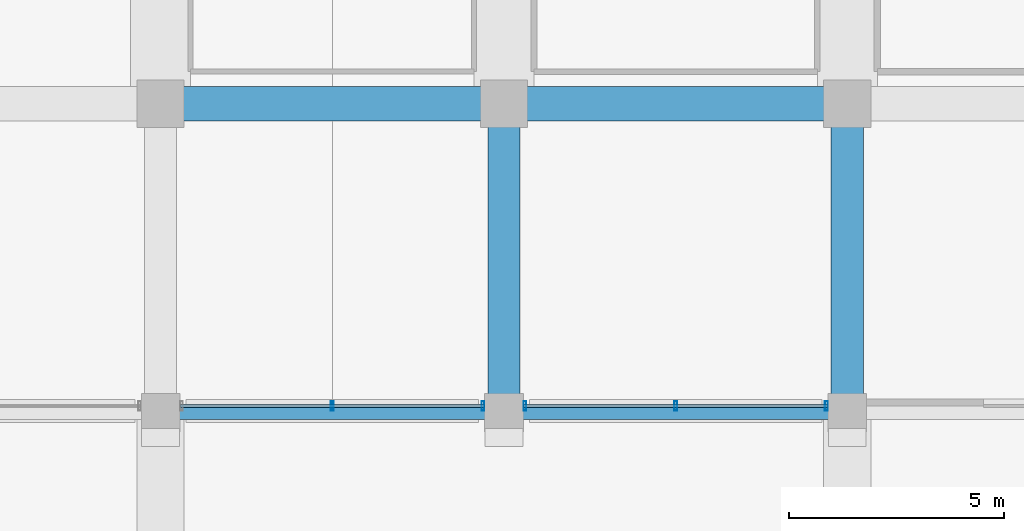
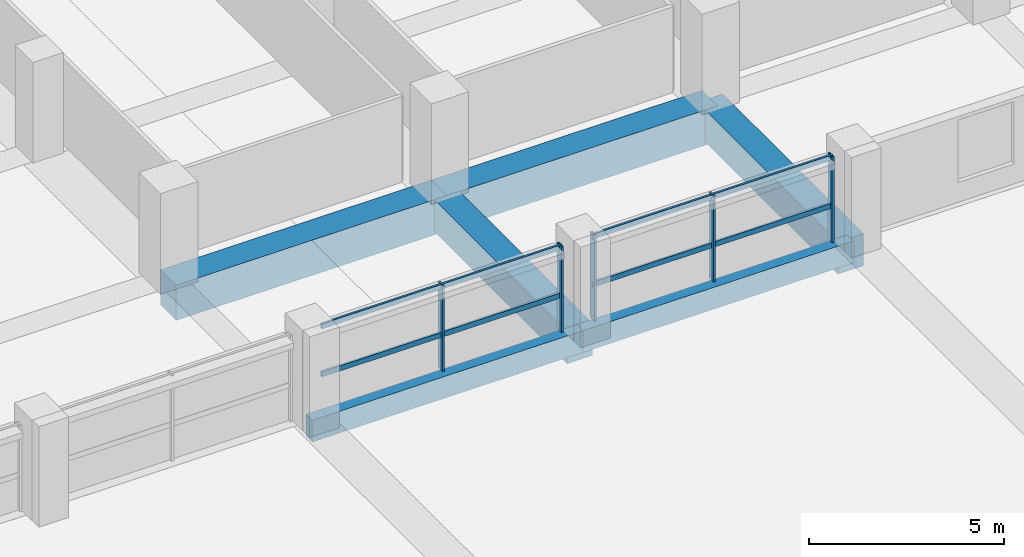
# One storey, part 14 of 49: 9 members, 6 beams, 2 elements without a shape of their own.
"""IFC4 building model written with IfcOpenShell, lengths in metres."""

from ifc_helpers import new_model, si_unit, direction, frame, origin, origin_2d, place, context, subcontext, project, spatial, rectangle, hollow_rectangle, extrude, material, material_profile, profile_set, type_object, element, aggregate, save


model = new_model("IFC4")

# Units and contexts
model_context = context("Model", 3, precision=1e-05, world=origin(), true_north=direction((0.0, 1.0)))
body_context = subcontext(model_context, "Body", "Model", "MODEL_VIEW")
ifc_project = project(units=[si_unit("LENGTHUNIT", "METRE"), si_unit("AREAUNIT", "SQUARE_METRE"), si_unit("VOLUMEUNIT", "CUBIC_METRE"), si_unit("PLANEANGLEUNIT", "RADIAN"), si_unit("MASSUNIT", "GRAM", prefix="KILO")], contexts=[model_context])

# Site, building, storey
site_placement = place(None, origin())
site = spatial("IfcSite", under=ifc_project, at=site_placement, CompositionType="ELEMENT")
building_placement = place(site_placement, origin())
building = spatial("IfcBuilding", under=site, at=building_placement, Name="Akrevak Sports Hall", CompositionType="ELEMENT")
storey_placement = place(building_placement, frame((0.0, 0.0, 24.14990234375)))
storey = spatial("IfcBuildingStorey", under=building, at=storey_placement, Name="L04", CompositionType="ELEMENT", Elevation=24.14990234375)

# Curtain wall, members
ifc_material_1 = material(Name="Anodized Bronze Aluminium & Low-E Glass", Category="aluminium")
curtain_wall_type = type_object("IfcCurtainWallType", Name="ARC-CW-TWR-72x30", PredefinedType="NOTDEFINED", material=ifc_material_1)
curtain_wall_1_placement = place(storey_placement, origin())
curtain_wall_1 = element("IfcCurtainWall", 1, at=curtain_wall_1_placement, inside=storey, type_object=curtain_wall_type, Name="Curtain Wall CW-L04-S06", PredefinedType="NOTDEFINED")
ifc_material_2 = material(Name="Anodized Bronze Aluminium", Category="aluminium")
ifc_material_profile_1 = material_profile(ifc_material_2, hollow_rectangle(XDim=0.06494140625, YDim=0.219970703125, WallThickness=0.00439453125, at=origin_2d()), Name="CWM 65x220", Category="aluminium")
ifc_profile_set_1 = profile_set([ifc_material_profile_1], Name="Anodized Bronze Aluminium")
member_type_1 = type_object("IfcMemberType", Name="ARC-CWM-70x160", PredefinedType="MULLION", material=ifc_profile_set_1)
member_1_placement = place(storey_placement, frame((80.0, 21.760009765625, 0.0), z_axis=(0.0, 0.0, 1.0), x_axis=(1.0, 0.0, 0.0)))
member_1 = element("IfcMember", 2, at=member_1_placement, type_object=member_type_1, Name="Curtain Wall Mullion CW-L04-S06-M2", PredefinedType="MULLION", context=body_context, shape_type="SweptSolid", body=[
    extrude(hollow_rectangle(XDim=0.06494140625, YDim=0.219970703125, WallThickness=0.00439453125, at=origin_2d()), origin(), (0.0, 0.0, 1.0), 2.68017578125),
])
member_2_placement = place(storey_placement, frame((83.510009765625, 21.760009765625, 0.0), z_axis=(0.0, 0.0, 1.0), x_axis=(1.0, 0.0, 0.0)))
member_2 = element("IfcMember", 3, at=member_2_placement, type_object=member_type_1, Name="Curtain Wall Mullion CW-L04-S06-M3", PredefinedType="MULLION", context=body_context, shape_type="SweptSolid", body=[
    extrude(hollow_rectangle(XDim=0.06494140625, YDim=0.219970703125, WallThickness=0.00439453125, at=origin_2d()), origin(), (0.0, 0.0, 1.0), 2.68017578125),
])

curtain_wall_2_placement = place(storey_placement, origin())
curtain_wall_2 = element("IfcCurtainWall", 4, at=curtain_wall_2_placement, inside=storey, type_object=curtain_wall_type, Name="Curtain Wall CW-L04-S07", PredefinedType="NOTDEFINED")
member_3_placement = place(storey_placement, frame((84.489990234375, 21.760009765625, 0.0), z_axis=(0.0, 0.0, 1.0), x_axis=(1.0, 0.0, 0.0)))
member_3 = element("IfcMember", 5, at=member_3_placement, type_object=member_type_1, Name="Curtain Wall Mullion CW-L04-S07-M1", PredefinedType="MULLION", context=body_context, shape_type="SweptSolid", body=[
    extrude(hollow_rectangle(XDim=0.06494140625, YDim=0.219970703125, WallThickness=0.00439453125, at=origin_2d()), origin(), (0.0, 0.0, 1.0), 2.68017578125),
])
member_4_placement = place(storey_placement, frame((88.0, 21.760009765625, 0.0), z_axis=(0.0, 0.0, 1.0), x_axis=(1.0, 0.0, 0.0)))
member_4 = element("IfcMember", 6, at=member_4_placement, type_object=member_type_1, Name="Curtain Wall Mullion CW-L04-S07-M2", PredefinedType="MULLION", context=body_context, shape_type="SweptSolid", body=[
    extrude(hollow_rectangle(XDim=0.06494140625, YDim=0.219970703125, WallThickness=0.00439453125, at=origin_2d()), origin(), (0.0, 0.0, 1.0), 2.68017578125),
])
member_5_placement = place(storey_placement, frame((91.510009765625, 21.760009765625, 0.0), z_axis=(0.0, 0.0, 1.0), x_axis=(1.0, 0.0, 0.0)))
member_5 = element("IfcMember", 7, at=member_5_placement, type_object=member_type_1, Name="Curtain Wall Mullion CW-L04-S07-M3", PredefinedType="MULLION", context=body_context, shape_type="SweptSolid", body=[
    extrude(hollow_rectangle(XDim=0.06494140625, YDim=0.219970703125, WallThickness=0.00439453125, at=origin_2d()), origin(), (0.0, 0.0, 1.0), 2.68017578125),
])

# Member
ifc_material_profile_2 = material_profile(ifc_material_2, hollow_rectangle(XDim=0.06494140625, YDim=0.159912109375, WallThickness=0.00390625, at=origin_2d()), Name="CWT 65x160", Category="aluminium")
ifc_profile_set_2 = profile_set([ifc_material_profile_2], Name="Anodized Bronze Aluminium")
member_type_2 = type_object("IfcMemberType", Name="ARC-CWT-70x130", PredefinedType="USERDEFINED", material=ifc_profile_set_2)
member_6_placement = place(storey_placement, frame((76.449951171875, 21.760009765625, 1.10009765625), z_axis=(1.0, 0.0, 0.0), x_axis=(0.0, 1.0, 0.0)))
member_6 = element("IfcMember", 8, at=member_6_placement, type_object=member_type_2, Name="Curtain Wall Transom CW-L04-S06-T1", ObjectType="TRANSOM", PredefinedType="USERDEFINED", context=body_context, shape_type="SweptSolid", body=[
    extrude(hollow_rectangle(XDim=0.06494140625, YDim=0.159912109375, WallThickness=0.00390625, at=origin_2d()), origin(), (0.0, 0.0, 1.0), 7.10009765625),
])

member_7_placement = place(storey_placement, frame((76.449951171875, 21.760009765625, 2.60009765625), z_axis=(1.0, 0.0, 0.0), x_axis=(0.0, 1.0, 0.0)))
member_7 = element("IfcMember", 9, at=member_7_placement, type_object=member_type_2, Name="Curtain Wall Transom CW-L04-S06-T2", ObjectType="TRANSOM", PredefinedType="USERDEFINED", context=body_context, shape_type="SweptSolid", body=[
    extrude(hollow_rectangle(XDim=0.06494140625, YDim=0.159912109375, WallThickness=0.00390625, at=origin_2d()), origin(), (0.0, 0.0, 1.0), 7.10009765625),
])

aggregate(curtain_wall_1, [member_1, member_2, member_6, member_7])

member_8_placement = place(storey_placement, frame((84.449951171875, 21.760009765625, 1.10009765625), z_axis=(1.0, 0.0, 0.0), x_axis=(0.0, 1.0, 0.0)))
member_8 = element("IfcMember", 10, at=member_8_placement, type_object=member_type_2, Name="Curtain Wall Transom CW-L04-S07-T1", ObjectType="TRANSOM", PredefinedType="USERDEFINED", context=body_context, shape_type="SweptSolid", body=[
    extrude(hollow_rectangle(XDim=0.06494140625, YDim=0.159912109375, WallThickness=0.00390625, at=origin_2d()), origin(), (0.0, 0.0, 1.0), 7.10009765625),
])

member_9_placement = place(storey_placement, frame((84.449951171875, 21.760009765625, 2.60009765625), z_axis=(1.0, 0.0, 0.0), x_axis=(0.0, 1.0, 0.0)))
member_9 = element("IfcMember", 11, at=member_9_placement, type_object=member_type_2, Name="Curtain Wall Transom CW-L04-S07-T2", ObjectType="TRANSOM", PredefinedType="USERDEFINED", context=body_context, shape_type="SweptSolid", body=[
    extrude(hollow_rectangle(XDim=0.06494140625, YDim=0.159912109375, WallThickness=0.00390625, at=origin_2d()), origin(), (0.0, 0.0, 1.0), 7.10009765625),
])

aggregate(curtain_wall_2, [member_3, member_4, member_5, member_8, member_9])

# Beams
ifc_material_3 = material(Name="Concrete C50/60", Category="concrete")
ifc_material_profile_3 = material_profile(ifc_material_3, rectangle(XDim=0.75, YDim=1.0, at=origin_2d()), Name="BM 750x1000", Category="concrete")
ifc_profile_set_3 = profile_set([ifc_material_profile_3], Name="Concrete C50/60")
beam_type_1 = type_object("IfcBeamType", Name="STR-BM-RC750x1000", PredefinedType="BEAM", material=ifc_profile_set_3)
for number, where, z_axis, x_axis, name in (
    (12, (84.0, 21.60009765625, -0.5), (0.0, 1.0, 0.0), (-1.0, 0.0, 0.0), "Girder 12/D-E (L04)"),
    (13, (92.0, 21.60009765625, -0.5), (0.0, 1.0, 0.0), (-1.0, 0.0, 0.0), "Girder 13/D-E (L04)"),
):
    element("IfcBeam", number, at=place(storey_placement, frame(where, z_axis=z_axis, x_axis=x_axis)), inside=storey, type_object=beam_type_1, Name=name, PredefinedType="BEAM", context=body_context, shape_type="SweptSolid", body=[
        extrude(rectangle(XDim=0.75, YDim=1.0, at=origin_2d()), origin(), (0.0, 0.0, 1.0), 7.199951171875),
    ])
ifc_material_profile_4 = material_profile(ifc_material_3, rectangle(XDim=0.800048828125, YDim=1.10009765625, at=origin_2d()), Name="BM 800x1100", Category="concrete")
ifc_profile_set_4 = profile_set([ifc_material_profile_4], Name="Concrete C50/60")
beam_type_2 = type_object("IfcBeamType", Name="STR-BM-RC800x1100", PredefinedType="BEAM", material=ifc_profile_set_4)
for number, where, z_axis, x_axis, name in (
    (14, (76.0, 28.800048828125, -0.5498046875), (1.0, 0.0, 0.0), (0.0, 1.0, 0.0), "Girder E/11-12 (L04)"),
    (15, (84.0, 28.800048828125, -0.5498046875), (1.0, 0.0, 0.0), (0.0, 1.0, 0.0), "Girder E/12-13 (L04)"),
):
    element("IfcBeam", number, at=place(storey_placement, frame(where, z_axis=z_axis, x_axis=x_axis)), inside=storey, type_object=beam_type_2, Name=name, PredefinedType="BEAM", context=body_context, shape_type="SweptSolid", body=[
        extrude(rectangle(XDim=0.800048828125, YDim=1.10009765625, at=origin_2d()), origin(), (0.0, 0.0, 1.0), 8.0),
    ])
ifc_material_4 = material(Name="Concrete C40/50", Category="concrete")
ifc_material_profile_5 = material_profile(ifc_material_4, rectangle(XDim=0.320068359375, YDim=0.679931640625, at=origin_2d()), Name="SPD 320x680", Category="concrete")
ifc_profile_set_5 = profile_set([ifc_material_profile_5], Name="Concrete C40/50")
beam_type_3 = type_object("IfcBeamType", Name="STR-SPD-RC320x680", PredefinedType="SPANDREL", material=ifc_profile_set_5)
for number, where, z_axis, x_axis, name in (
    (16, (76.0, 21.60009765625, -0.33984375), (1.0, 0.0, 0.0), (0.0, 1.0, 0.0), "Girder D/11-12 (L04)"),
    (17, (84.0, 21.60009765625, -0.33984375), (1.0, 0.0, 0.0), (0.0, 1.0, 0.0), "Girder D/12-13 (L04)"),
):
    element("IfcBeam", number, at=place(storey_placement, frame(where, z_axis=z_axis, x_axis=x_axis)), inside=storey, type_object=beam_type_3, Name=name, PredefinedType="SPANDREL", context=body_context, shape_type="SweptSolid", body=[
        extrude(rectangle(XDim=0.320068359375, YDim=0.679931640625, at=origin_2d()), origin(), (0.0, 0.0, 1.0), 8.0),
    ])

save(model, "model.ifc")
